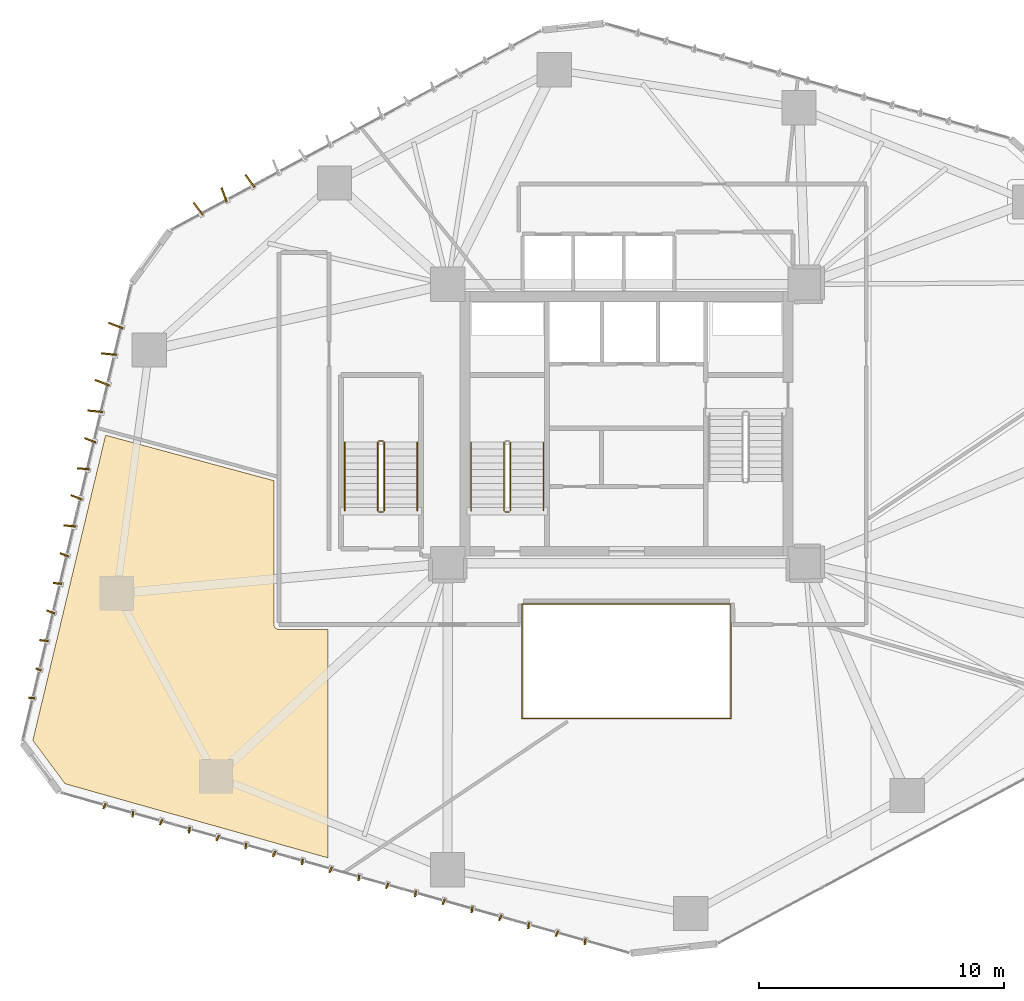
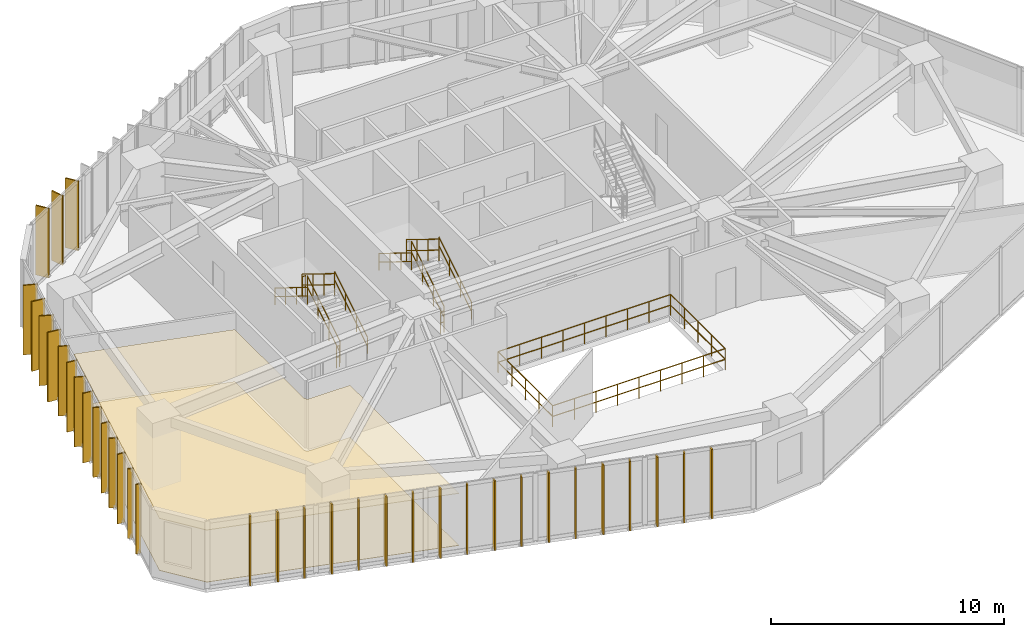
# One storey, part 22 of 24: 35 shading devices, 15 railings, 2 coverings.
"""IFC4 building model written with IfcOpenShell, lengths in metres."""

from ifc_helpers import new_model, si_unit, direction, frame, origin, origin_2d, place, context, subcontext, project, spatial, polyline, rectangle, circle, outline, extrude, source, transform, mapped, material, layer, layer_set, type_object, type_shapes, element, save


model = new_model("IFC4")

# Units and contexts
model_context = context("Model", 3, precision=1e-05, world=origin(), true_north=direction((0.0, 1.0)))
body_context = subcontext(model_context, "Body", "Model", "MODEL_VIEW")
ifc_project = project(units=[si_unit("LENGTHUNIT", "METRE"), si_unit("AREAUNIT", "SQUARE_METRE"), si_unit("VOLUMEUNIT", "CUBIC_METRE"), si_unit("PLANEANGLEUNIT", "RADIAN"), si_unit("MASSUNIT", "GRAM", prefix="KILO")], contexts=[model_context])

# Site, building, storey
site_placement = place(None, origin())
site = spatial("IfcSite", under=ifc_project, at=site_placement, CompositionType="ELEMENT")
building_placement = place(site_placement, origin())
building = spatial("IfcBuilding", under=site, at=building_placement, Name="Talar Marvaseh", CompositionType="ELEMENT")
storey_placement = place(building_placement, frame((0.0, 0.0, 43.0)))
storey = spatial("IfcBuildingStorey", under=building, at=storey_placement, Name="L10", CompositionType="ELEMENT", Elevation=43.0)

# Railings
ifc_material_1 = material(Name="Stainless Steel Grade 316", Category="steel")
railing_type_1 = type_object("IfcRailingType", Name="Brushed Stainless Wall Pitch Handrail 900", PredefinedType="HANDRAIL", material=ifc_material_1)
railing_1_placement = place(storey_placement, frame((22.610107421875, 27.64990234375, 0.172607421875)))
element("IfcRailing", 1, at=railing_1_placement, inside=storey, type_object=railing_type_1, Name="L10 ST-1 stair handrail 1", PredefinedType="HANDRAIL", context=body_context, shape_type="SweptSolid", body=[
    extrude(circle(Radius=0.02392578125, at=origin_2d()), frame((0.0, 0.0, 0.8759765625), z_axis=(0.0, 0.851089632645, 0.525020415988), x_axis=(-1.0, 0.0, 0.0)), (0.0, 0.0, 1.0), 3.2900390625),
    extrude(circle(Radius=0.02392578125, at=origin_2d()), frame((0.0, 0.0, 0.42578125), z_axis=(0.0, 0.851089632645, 0.525020415988), x_axis=(-1.0, 0.0, 0.0)), (0.0, 0.0, 1.0), 3.2900390625),
    extrude(circle(Radius=0.02099609375, at=origin_2d()), origin(), (0.0, 0.0, 1.0), 0.851806640625),
    extrude(circle(Radius=0.02099609375, at=origin_2d()), frame((0.0, 0.933349609375, 0.57568359375)), (0.0, 0.0, 1.0), 0.851806640625),
    extrude(circle(Radius=0.02099609375, at=origin_2d()), frame((0.0, 1.86669921875, 1.151611328125)), (0.0, 0.0, 1.0), 0.851806640625),
    extrude(circle(Radius=0.02099609375, at=origin_2d()), frame((0.0, 2.800048828125, 1.727294921875)), (0.0, 0.0, 1.0), 0.851806640625),
])
railing_2_placement = place(storey_placement, frame((19.64990234375, 30.449951171875, 2.07275390625)))
element("IfcRailing", 2, at=railing_2_placement, inside=storey, type_object=railing_type_1, Name="L10 ST-1 stair handrail 2", PredefinedType="HANDRAIL", context=body_context, shape_type="SweptSolid", body=[
    extrude(circle(Radius=0.02392578125, at=origin_2d()), frame((0.0, 0.0, 0.8759765625), z_axis=(0.0, -0.851089632645, 0.525020415988), x_axis=(1.0, 0.0, 0.0)), (0.0, 0.0, 1.0), 3.2900390625),
    extrude(circle(Radius=0.02392578125, at=origin_2d()), frame((0.0, 0.0, 0.42578125), z_axis=(0.0, -0.851089632645, 0.525020415988), x_axis=(1.0, 0.0, 0.0)), (0.0, 0.0, 1.0), 3.2900390625),
    extrude(circle(Radius=0.02099609375, at=origin_2d()), origin(), (0.0, 0.0, 1.0), 0.851806640625),
    extrude(circle(Radius=0.02099609375, at=origin_2d()), frame((0.0, -0.933349609375, 0.57568359375)), (0.0, 0.0, 1.0), 0.851806640625),
    extrude(circle(Radius=0.02099609375, at=origin_2d()), frame((0.0, -1.86669921875, 1.151611328125)), (0.0, 0.0, 1.0), 0.851806640625),
    extrude(circle(Radius=0.02099609375, at=origin_2d()), frame((0.0, -2.800048828125, 1.727294921875)), (0.0, 0.0, 1.0), 0.851806640625),
])
railing_3_placement = place(storey_placement, frame((17.449951171875, 27.64990234375, 0.172607421875)))
element("IfcRailing", 3, at=railing_3_placement, inside=storey, type_object=railing_type_1, Name="L10 ST-3 stair handrail 1", PredefinedType="HANDRAIL", context=body_context, shape_type="SweptSolid", body=[
    extrude(circle(Radius=0.02392578125, at=origin_2d()), frame((0.0, 0.0, 0.8759765625), z_axis=(0.0, 0.851089632645, 0.525020415988), x_axis=(-1.0, 0.0, 0.0)), (0.0, 0.0, 1.0), 3.2900390625),
    extrude(circle(Radius=0.02392578125, at=origin_2d()), frame((0.0, 0.0, 0.42578125), z_axis=(0.0, 0.851089632645, 0.525020415988), x_axis=(-1.0, 0.0, 0.0)), (0.0, 0.0, 1.0), 3.2900390625),
    extrude(circle(Radius=0.02099609375, at=origin_2d()), origin(), (0.0, 0.0, 1.0), 0.851806640625),
    extrude(circle(Radius=0.02099609375, at=origin_2d()), frame((0.0, 0.933349609375, 0.57568359375)), (0.0, 0.0, 1.0), 0.851806640625),
    extrude(circle(Radius=0.02099609375, at=origin_2d()), frame((0.0, 1.86669921875, 1.151611328125)), (0.0, 0.0, 1.0), 0.851806640625),
    extrude(circle(Radius=0.02099609375, at=origin_2d()), frame((0.0, 2.800048828125, 1.727294921875)), (0.0, 0.0, 1.0), 0.851806640625),
])
railing_4_placement = place(storey_placement, frame((14.489990234375, 30.449951171875, 2.07275390625)))
element("IfcRailing", 4, at=railing_4_placement, inside=storey, type_object=railing_type_1, Name="L10 ST-3 stair handrail 2", PredefinedType="HANDRAIL", context=body_context, shape_type="SweptSolid", body=[
    extrude(circle(Radius=0.02392578125, at=origin_2d()), frame((0.0, 0.0, 0.8759765625), z_axis=(0.0, -0.851089632645, 0.525020415988), x_axis=(1.0, 0.0, 0.0)), (0.0, 0.0, 1.0), 3.2900390625),
    extrude(circle(Radius=0.02392578125, at=origin_2d()), frame((0.0, 0.0, 0.42578125), z_axis=(0.0, -0.851089632645, 0.525020415988), x_axis=(1.0, 0.0, 0.0)), (0.0, 0.0, 1.0), 3.2900390625),
    extrude(circle(Radius=0.02099609375, at=origin_2d()), origin(), (0.0, 0.0, 1.0), 0.851806640625),
    extrude(circle(Radius=0.02099609375, at=origin_2d()), frame((0.0, -0.933349609375, 0.57568359375)), (0.0, 0.0, 1.0), 0.851806640625),
    extrude(circle(Radius=0.02099609375, at=origin_2d()), frame((0.0, -1.86669921875, 1.151611328125)), (0.0, 0.0, 1.0), 0.851806640625),
    extrude(circle(Radius=0.02099609375, at=origin_2d()), frame((0.0, -2.800048828125, 1.727294921875)), (0.0, 0.0, 1.0), 0.851806640625),
])
ifc_material_2 = material(Name="Tempered Clear Glass", Category="glass")
railing_type_2 = type_object("IfcRailingType", Name="Interior Atrium Edge Balustrade 1120", PredefinedType="BALUSTRADE", material=ifc_material_2)
railing_5_placement = place(storey_placement, frame((21.729736328125, 19.16162109375, 0.0)))
element("IfcRailing", 5, at=railing_5_placement, inside=storey, type_object=railing_type_2, Name="L10 Internal Daylight Atrium Balustrade 1", PredefinedType="BALUSTRADE", context=body_context, shape_type="SweptSolid", body=[
    extrude(circle(Radius=0.02392578125, at=origin_2d()), frame((0.0, 0.0, 1.09619140625), z_axis=(1.0, 0.0, 0.0), x_axis=(0.0, 1.0, 0.0)), (0.0, 0.0, 1.0), 8.54052734375),
    extrude(circle(Radius=0.02392578125, at=origin_2d()), frame((0.0, 0.0, 0.5361328125), z_axis=(1.0, 0.0, 0.0), x_axis=(0.0, 1.0, 0.0)), (0.0, 0.0, 1.0), 8.54052734375),
    extrude(circle(Radius=0.02099609375, at=origin_2d()), origin(), (0.0, 0.0, 1.0), 1.072021484375),
    extrude(circle(Radius=0.02099609375, at=origin_2d()), frame((1.067626953125, 0.0, 0.0)), (0.0, 0.0, 1.0), 1.072021484375),
    extrude(circle(Radius=0.02099609375, at=origin_2d()), frame((2.13525390625, 0.0, 0.0)), (0.0, 0.0, 1.0), 1.072021484375),
    extrude(circle(Radius=0.02099609375, at=origin_2d()), frame((3.20263671875, 0.0, 0.0)), (0.0, 0.0, 1.0), 1.072021484375),
    extrude(circle(Radius=0.02099609375, at=origin_2d()), frame((4.270263671875, 0.0, 0.0)), (0.0, 0.0, 1.0), 1.072021484375),
    extrude(circle(Radius=0.02099609375, at=origin_2d()), frame((5.337890625, 0.0, 0.0)), (0.0, 0.0, 1.0), 1.072021484375),
    extrude(circle(Radius=0.02099609375, at=origin_2d()), frame((6.4052734375, 0.0, 0.0)), (0.0, 0.0, 1.0), 1.072021484375),
    extrude(circle(Radius=0.02099609375, at=origin_2d()), frame((7.472900390625, 0.0, 0.0)), (0.0, 0.0, 1.0), 1.072021484375),
    extrude(circle(Radius=0.02099609375, at=origin_2d()), frame((8.54052734375, 0.0, 0.0)), (0.0, 0.0, 1.0), 1.072021484375),
])
railing_6_placement = place(storey_placement, frame((30.270263671875, 19.16162109375, 0.0)))
element("IfcRailing", 6, at=railing_6_placement, inside=storey, type_object=railing_type_2, Name="L10 Internal Daylight Atrium Balustrade 2", PredefinedType="BALUSTRADE", context=body_context, shape_type="SweptSolid", body=[
    extrude(circle(Radius=0.02392578125, at=origin_2d()), frame((0.0, 0.0, 1.09619140625), z_axis=(0.0, 1.0, 0.0), x_axis=(-1.0, 0.0, 0.0)), (0.0, 0.0, 1.0), 4.6767578125),
    extrude(circle(Radius=0.02392578125, at=origin_2d()), frame((0.0, 0.0, 0.5361328125), z_axis=(0.0, 1.0, 0.0), x_axis=(-1.0, 0.0, 0.0)), (0.0, 0.0, 1.0), 4.6767578125),
    extrude(circle(Radius=0.02099609375, at=origin_2d()), origin(), (0.0, 0.0, 1.0), 1.072021484375),
    extrude(circle(Radius=0.02099609375, at=origin_2d()), frame((0.0, 1.169189453125, 0.0)), (0.0, 0.0, 1.0), 1.072021484375),
    extrude(circle(Radius=0.02099609375, at=origin_2d()), frame((0.0, 2.33837890625, 0.0)), (0.0, 0.0, 1.0), 1.072021484375),
    extrude(circle(Radius=0.02099609375, at=origin_2d()), frame((0.0, 3.507568359375, 0.0)), (0.0, 0.0, 1.0), 1.072021484375),
    extrude(circle(Radius=0.02099609375, at=origin_2d()), frame((0.0, 4.6767578125, 0.0)), (0.0, 0.0, 1.0), 1.072021484375),
])
railing_7_placement = place(storey_placement, frame((30.270263671875, 23.83837890625, 0.0)))
element("IfcRailing", 7, at=railing_7_placement, inside=storey, type_object=railing_type_2, Name="L10 Internal Daylight Atrium Balustrade 3", PredefinedType="BALUSTRADE", context=body_context, shape_type="SweptSolid", body=[
    extrude(circle(Radius=0.02392578125, at=origin_2d()), frame((0.0, 0.0, 1.09619140625), z_axis=(-1.0, 0.0, 0.0), x_axis=(0.0, -1.0, 0.0)), (0.0, 0.0, 1.0), 8.54052734375),
    extrude(circle(Radius=0.02392578125, at=origin_2d()), frame((0.0, 0.0, 0.5361328125), z_axis=(-1.0, 0.0, 0.0), x_axis=(0.0, -1.0, 0.0)), (0.0, 0.0, 1.0), 8.54052734375),
    extrude(circle(Radius=0.02099609375, at=origin_2d()), origin(), (0.0, 0.0, 1.0), 1.072021484375),
    extrude(circle(Radius=0.02099609375, at=origin_2d()), frame((-1.067626953125, 0.0, 0.0)), (0.0, 0.0, 1.0), 1.072021484375),
    extrude(circle(Radius=0.02099609375, at=origin_2d()), frame((-2.13525390625, 0.0, 0.0)), (0.0, 0.0, 1.0), 1.072021484375),
    extrude(circle(Radius=0.02099609375, at=origin_2d()), frame((-3.20263671875, 0.0, 0.0)), (0.0, 0.0, 1.0), 1.072021484375),
    extrude(circle(Radius=0.02099609375, at=origin_2d()), frame((-4.270263671875, 0.0, 0.0)), (0.0, 0.0, 1.0), 1.072021484375),
    extrude(circle(Radius=0.02099609375, at=origin_2d()), frame((-5.337890625, 0.0, 0.0)), (0.0, 0.0, 1.0), 1.072021484375),
    extrude(circle(Radius=0.02099609375, at=origin_2d()), frame((-6.4052734375, 0.0, 0.0)), (0.0, 0.0, 1.0), 1.072021484375),
    extrude(circle(Radius=0.02099609375, at=origin_2d()), frame((-7.472900390625, 0.0, 0.0)), (0.0, 0.0, 1.0), 1.072021484375),
    extrude(circle(Radius=0.02099609375, at=origin_2d()), frame((-8.54052734375, 0.0, 0.0)), (0.0, 0.0, 1.0), 1.072021484375),
])
railing_8_placement = place(storey_placement, frame((21.729736328125, 23.83837890625, 0.0)))
element("IfcRailing", 8, at=railing_8_placement, inside=storey, type_object=railing_type_2, Name="L10 Internal Daylight Atrium Balustrade 4", PredefinedType="BALUSTRADE", context=body_context, shape_type="SweptSolid", body=[
    extrude(circle(Radius=0.02392578125, at=origin_2d()), frame((0.0, 0.0, 1.09619140625), z_axis=(0.0, -1.0, 0.0), x_axis=(1.0, 0.0, 0.0)), (0.0, 0.0, 1.0), 4.6767578125),
    extrude(circle(Radius=0.02392578125, at=origin_2d()), frame((0.0, 0.0, 0.5361328125), z_axis=(0.0, -1.0, 0.0), x_axis=(1.0, 0.0, 0.0)), (0.0, 0.0, 1.0), 4.6767578125),
    extrude(circle(Radius=0.02099609375, at=origin_2d()), origin(), (0.0, 0.0, 1.0), 1.072021484375),
    extrude(circle(Radius=0.02099609375, at=origin_2d()), frame((0.0, -1.169189453125, 0.0)), (0.0, 0.0, 1.0), 1.072021484375),
    extrude(circle(Radius=0.02099609375, at=origin_2d()), frame((0.0, -2.33837890625, 0.0)), (0.0, 0.0, 1.0), 1.072021484375),
    extrude(circle(Radius=0.02099609375, at=origin_2d()), frame((0.0, -3.507568359375, 0.0)), (0.0, 0.0, 1.0), 1.072021484375),
    extrude(circle(Radius=0.02099609375, at=origin_2d()), frame((0.0, -4.6767578125, 0.0)), (0.0, 0.0, 1.0), 1.072021484375),
])
railing_type_3 = type_object("IfcRailingType", Name="Painted Steel Core Stair Well Guardrail 1150", PredefinedType="GUARDRAIL", material=ifc_material_1)
railing_9_placement = place(storey_placement, frame((21.260009765625, 27.64990234375, 0.172607421875)))
element("IfcRailing", 9, at=railing_9_placement, inside=storey, type_object=railing_type_3, Name="L10 ST-1 stair guard 1", PredefinedType="GUARDRAIL", context=body_context, shape_type="SweptSolid", body=[
    extrude(circle(Radius=0.02392578125, at=origin_2d()), frame((0.0, 0.0, 1.1259765625), z_axis=(0.0, 0.851089632645, 0.525020415988), x_axis=(-1.0, 0.0, 0.0)), (0.0, 0.0, 1.0), 3.2900390625),
    extrude(circle(Radius=0.02392578125, at=origin_2d()), frame((0.0, 0.0, 0.55078125), z_axis=(0.0, 0.851089632645, 0.525020415988), x_axis=(-1.0, 0.0, 0.0)), (0.0, 0.0, 1.0), 3.2900390625),
    extrude(circle(Radius=0.02099609375, at=origin_2d()), origin(), (0.0, 0.0, 1.0), 1.101806640625),
    extrude(circle(Radius=0.02099609375, at=origin_2d()), frame((0.0, 0.933349609375, 0.57568359375)), (0.0, 0.0, 1.0), 1.101806640625),
    extrude(circle(Radius=0.02099609375, at=origin_2d()), frame((0.0, 1.86669921875, 1.151611328125)), (0.0, 0.0, 1.0), 1.101806640625),
    extrude(circle(Radius=0.02099609375, at=origin_2d()), frame((0.0, 2.800048828125, 1.727294921875)), (0.0, 0.0, 1.0), 1.101806640625),
])
railing_10_placement = place(storey_placement, frame((21.0, 30.449951171875, 2.07275390625)))
element("IfcRailing", 10, at=railing_10_placement, inside=storey, type_object=railing_type_3, Name="L10 ST-1 stair guard 3", PredefinedType="GUARDRAIL", context=body_context, shape_type="SweptSolid", body=[
    extrude(circle(Radius=0.02392578125, at=origin_2d()), frame((0.0, 0.0, 1.1259765625), z_axis=(0.0, -0.851089632645, 0.525020415988), x_axis=(1.0, 0.0, 0.0)), (0.0, 0.0, 1.0), 3.2900390625),
    extrude(circle(Radius=0.02392578125, at=origin_2d()), frame((0.0, 0.0, 0.55078125), z_axis=(0.0, -0.851089632645, 0.525020415988), x_axis=(1.0, 0.0, 0.0)), (0.0, 0.0, 1.0), 3.2900390625),
    extrude(circle(Radius=0.02099609375, at=origin_2d()), origin(), (0.0, 0.0, 1.0), 1.101806640625),
    extrude(circle(Radius=0.02099609375, at=origin_2d()), frame((0.0, -0.933349609375, 0.57568359375)), (0.0, 0.0, 1.0), 1.101806640625),
    extrude(circle(Radius=0.02099609375, at=origin_2d()), frame((0.0, -1.86669921875, 1.151611328125)), (0.0, 0.0, 1.0), 1.101806640625),
    extrude(circle(Radius=0.02099609375, at=origin_2d()), frame((0.0, -2.800048828125, 1.727294921875)), (0.0, 0.0, 1.0), 1.101806640625),
])
railing_11_placement = place(storey_placement, frame((21.2099609375, 27.60009765625, 0.0)))
element("IfcRailing", 11, at=railing_11_placement, inside=storey, type_object=railing_type_3, Name="L10 ST-1 stair guard 4", PredefinedType="GUARDRAIL", context=body_context, shape_type="SweptSolid", body=[
    extrude(circle(Radius=0.02392578125, at=origin_2d()), frame((0.0, 0.0, 1.1259765625), z_axis=(-1.0, 0.0, 0.0), x_axis=(0.0, -1.0, 0.0)), (0.0, 0.0, 1.0), 0.159912109375),
    extrude(circle(Radius=0.02392578125, at=origin_2d()), frame((0.0, 0.0, 0.55078125), z_axis=(-1.0, 0.0, 0.0), x_axis=(0.0, -1.0, 0.0)), (0.0, 0.0, 1.0), 0.159912109375),
    extrude(circle(Radius=0.02099609375, at=origin_2d()), origin(), (0.0, 0.0, 1.0), 1.101806640625),
    extrude(circle(Radius=0.02099609375, at=origin_2d()), frame((-0.159912109375, 0.0, 0.0)), (0.0, 0.0, 1.0), 1.101806640625),
])
railing_12_placement = place(storey_placement, frame((16.10009765625, 27.64990234375, 0.172607421875)))
element("IfcRailing", 12, at=railing_12_placement, inside=storey, type_object=railing_type_3, Name="L10 ST-3 stair guard 1", PredefinedType="GUARDRAIL", context=body_context, shape_type="SweptSolid", body=[
    extrude(circle(Radius=0.02392578125, at=origin_2d()), frame((0.0, 0.0, 1.1259765625), z_axis=(0.0, 0.851089632645, 0.525020415988), x_axis=(-1.0, 0.0, 0.0)), (0.0, 0.0, 1.0), 3.2900390625),
    extrude(circle(Radius=0.02392578125, at=origin_2d()), frame((0.0, 0.0, 0.55078125), z_axis=(0.0, 0.851089632645, 0.525020415988), x_axis=(-1.0, 0.0, 0.0)), (0.0, 0.0, 1.0), 3.2900390625),
    extrude(circle(Radius=0.02099609375, at=origin_2d()), origin(), (0.0, 0.0, 1.0), 1.101806640625),
    extrude(circle(Radius=0.02099609375, at=origin_2d()), frame((0.0, 0.933349609375, 0.57568359375)), (0.0, 0.0, 1.0), 1.101806640625),
    extrude(circle(Radius=0.02099609375, at=origin_2d()), frame((0.0, 1.86669921875, 1.151611328125)), (0.0, 0.0, 1.0), 1.101806640625),
    extrude(circle(Radius=0.02099609375, at=origin_2d()), frame((0.0, 2.800048828125, 1.727294921875)), (0.0, 0.0, 1.0), 1.101806640625),
])
railing_13_placement = place(storey_placement, frame((16.050048828125, 30.5, 1.89990234375)))
element("IfcRailing", 13, at=railing_13_placement, inside=storey, type_object=railing_type_3, Name="L10 ST-3 stair guard 2", PredefinedType="GUARDRAIL", context=body_context, shape_type="SweptSolid", body=[
    extrude(circle(Radius=0.02392578125, at=origin_2d()), frame((0.0, 0.0, 1.1259765625), z_axis=(-1.0, 0.0, 0.0), x_axis=(0.0, -1.0, 0.0)), (0.0, 0.0, 1.0), 0.16015625),
    extrude(circle(Radius=0.02392578125, at=origin_2d()), frame((0.0, 0.0, 0.55078125), z_axis=(-1.0, 0.0, 0.0), x_axis=(0.0, -1.0, 0.0)), (0.0, 0.0, 1.0), 0.16015625),
    extrude(circle(Radius=0.02099609375, at=origin_2d()), origin(), (0.0, 0.0, 1.0), 1.101806640625),
    extrude(circle(Radius=0.02099609375, at=origin_2d()), frame((-0.16015625, 0.0, 0.0)), (0.0, 0.0, 1.0), 1.101806640625),
])
railing_14_placement = place(storey_placement, frame((15.840087890625, 30.449951171875, 2.07275390625)))
element("IfcRailing", 14, at=railing_14_placement, inside=storey, type_object=railing_type_3, Name="L10 ST-3 stair guard 3", PredefinedType="GUARDRAIL", context=body_context, shape_type="SweptSolid", body=[
    extrude(circle(Radius=0.02392578125, at=origin_2d()), frame((0.0, 0.0, 1.1259765625), z_axis=(0.0, -0.851089632645, 0.525020415988), x_axis=(1.0, 0.0, 0.0)), (0.0, 0.0, 1.0), 3.2900390625),
    extrude(circle(Radius=0.02392578125, at=origin_2d()), frame((0.0, 0.0, 0.55078125), z_axis=(0.0, -0.851089632645, 0.525020415988), x_axis=(1.0, 0.0, 0.0)), (0.0, 0.0, 1.0), 3.2900390625),
    extrude(circle(Radius=0.02099609375, at=origin_2d()), origin(), (0.0, 0.0, 1.0), 1.101806640625),
    extrude(circle(Radius=0.02099609375, at=origin_2d()), frame((0.0, -0.933349609375, 0.57568359375)), (0.0, 0.0, 1.0), 1.101806640625),
    extrude(circle(Radius=0.02099609375, at=origin_2d()), frame((0.0, -1.86669921875, 1.151611328125)), (0.0, 0.0, 1.0), 1.101806640625),
    extrude(circle(Radius=0.02099609375, at=origin_2d()), frame((0.0, -2.800048828125, 1.727294921875)), (0.0, 0.0, 1.0), 1.101806640625),
])
railing_15_placement = place(storey_placement, frame((16.050048828125, 27.60009765625, 0.0)))
element("IfcRailing", 15, at=railing_15_placement, inside=storey, type_object=railing_type_3, Name="L10 ST-3 stair guard 4", PredefinedType="GUARDRAIL", context=body_context, shape_type="SweptSolid", body=[
    extrude(circle(Radius=0.02392578125, at=origin_2d()), frame((0.0, 0.0, 1.1259765625), z_axis=(-1.0, 0.0, 0.0), x_axis=(0.0, -1.0, 0.0)), (0.0, 0.0, 1.0), 0.16015625),
    extrude(circle(Radius=0.02392578125, at=origin_2d()), frame((0.0, 0.0, 0.55078125), z_axis=(-1.0, 0.0, 0.0), x_axis=(0.0, -1.0, 0.0)), (0.0, 0.0, 1.0), 0.16015625),
    extrude(circle(Radius=0.02099609375, at=origin_2d()), origin(), (0.0, 0.0, 1.0), 1.101806640625),
    extrude(circle(Radius=0.02099609375, at=origin_2d()), frame((-0.16015625, 0.0, 0.0)), (0.0, 0.0, 1.0), 1.101806640625),
])

# Coverings
ifc_material_3 = material(Name="Mineral Fibre Acoustic Ceiling")
ifc_layer_1 = layer(ifc_material_3, 0.02490234375)
ifc_layer_set_1 = layer_set([ifc_layer_1], Name="Mineral Fibre Acoustic Ceiling")
covering_type_1 = type_object("IfcCoveringType", Name="Perforated Mineral Fibre Acoustic Suspended Ceiling", PredefinedType="CEILING", material=ifc_layer_set_1)
covering_1_placement = place(storey_placement, frame((0.0, 0.0, 2.719970703125)))
element("IfcCovering", 16, at=covering_1_placement, inside=storey, type_object=covering_type_1, Name="L10 Exhibition Gallery Acoustic Ceiling", PredefinedType="CEILING", context=body_context, shape_type="SweptSolid", body=[
    extrude(outline(polyline([(11.60009765625, 28.878173828125), (11.60009765625, 23.0), (11.60107421875, 22.98046875), (11.603759765625, 22.9609375), (11.608642578125, 22.94189453125), (11.615234375, 22.923583984375), (11.62353515625, 22.90576171875), (11.6337890625, 22.888916015625), (11.6455078125, 22.873046875), (11.65869140625, 22.858642578125), (11.673095703125, 22.845458984375), (11.68896484375, 22.833740234375), (11.705810546875, 22.823486328125), (11.723388671875, 22.815185546875), (11.741943359375, 22.80859375), (11.760986328125, 22.8037109375), (11.780517578125, 22.801025390625), (11.800048828125, 22.800048828125), (13.800048828125, 22.800048828125), (13.800048828125, 13.469482421875), (3.064208984375, 16.49560546875), (1.744384765625, 18.267578125), (4.716064453125, 30.7373046875), (11.60009765625, 28.878173828125)])), origin(), (0.0, 0.0, 1.0), 0.025146484375),
])
ifc_material_4 = material(Name="Porcelain Stoneware Tile", Category="masonry")
ifc_layer_2 = layer(ifc_material_4, 0.02001953125)
ifc_layer_set_2 = layer_set([ifc_layer_2], Name="Porcelain Stoneware Tile")
covering_type_2 = type_object("IfcCoveringType", Name="Polished Porcelain Stoneware Gallery Flooring", PredefinedType="FLOORING", material=ifc_layer_set_2)
covering_2_placement = place(storey_placement, origin())
element("IfcCovering", 17, at=covering_2_placement, inside=storey, type_object=covering_type_2, Name="L10 Exhibition Gallery Flooring", PredefinedType="FLOORING", context=body_context, shape_type="SweptSolid", body=[
    extrude(outline(polyline([(11.60009765625, 28.878173828125), (11.60009765625, 23.0), (11.60107421875, 22.98046875), (11.603759765625, 22.9609375), (11.608642578125, 22.94189453125), (11.615234375, 22.923583984375), (11.62353515625, 22.90576171875), (11.6337890625, 22.888916015625), (11.6455078125, 22.873046875), (11.65869140625, 22.858642578125), (11.673095703125, 22.845458984375), (11.68896484375, 22.833740234375), (11.705810546875, 22.823486328125), (11.723388671875, 22.815185546875), (11.741943359375, 22.80859375), (11.760986328125, 22.8037109375), (11.780517578125, 22.801025390625), (11.800048828125, 22.800048828125), (13.800048828125, 22.800048828125), (13.800048828125, 13.469482421875), (3.064208984375, 16.49560546875), (1.744384765625, 18.267578125), (4.716064453125, 30.7373046875), (11.60009765625, 28.878173828125)])), origin(), (0.0, 0.0, 1.0), 0.02001953125),
])

# Shading devices
ifc_material_5 = material(Name="Anodised Champagne Bronze Aluminium", Category="aluminium")
ifc_layer_3 = layer(ifc_material_5, 0.06494140625)
ifc_layer_set_3 = layer_set([ifc_layer_3], Name="Anodised Champagne Bronze Aluminium")
shading_device_type_1 = type_object("IfcShadingDeviceType", Name="Sawtooth Champagne Bronze Vertical Fin 240", PredefinedType="USERDEFINED", material=ifc_layer_set_3)
shared_shape_1 = source(origin(), body_context, "Body", "SweptSolid", [
    extrude(rectangle(XDim=0.239990234375, YDim=0.06494140625, at=origin_2d()), origin(), (0.0, 0.0, 1.0), 3.639892578125),
])
type_shapes(shading_device_type_1, [shared_shape_1])
for number, where, z_axis, x_axis, name in (
    (18, (1.69970703125, 19.999755859375, -0.1201171875), (0.0, 0.0, 1.0), (-0.995561964603, 0.094108313319, 0.0), "L10 Sawtooth Vertical Solar Fin"),
    (19, (1.97802734375, 21.1669921875, -0.1201171875), (0.0, 0.0, 1.0), (-0.931055815863, 0.364876784338, 0.0), "L10 Sawtooth Vertical Solar Fin"),
    (20, (24.30859375, 10.045166015625, -0.1201171875), (0.0, 0.0, 1.0), (-0.134677989497, -0.990889418222, 0.0), "L10 Sawtooth Vertical Solar Fin"),
    (21, (23.15380859375, 10.370849609375, -0.1201171875), (0.0, 0.0, 1.0), (-0.402586931735, -0.915381757736, 0.0), "L10 Sawtooth Vertical Solar Fin"),
    (22, (21.998779296875, 10.6962890625, -0.1201171875), (0.0, 0.0, 1.0), (-0.134677989497, -0.990889418222, 0.0), "L10 Sawtooth Vertical Solar Fin"),
    (23, (20.84375, 11.02197265625, -0.1201171875), (0.0, 0.0, 1.0), (-0.402586931735, -0.915381757736, 0.0), "L10 Sawtooth Vertical Solar Fin"),
    (24, (19.688720703125, 11.347412109375, -0.1201171875), (0.0, 0.0, 1.0), (-0.134677989497, -0.990889418222, 0.0), "L10 Sawtooth Vertical Solar Fin"),
    (25, (18.53369140625, 11.673095703125, -0.1201171875), (0.0, 0.0, 1.0), (-0.402586931735, -0.915381757736, 0.0), "L10 Sawtooth Vertical Solar Fin"),
    (26, (17.37890625, 11.99853515625, -0.1201171875), (0.0, 0.0, 1.0), (-0.134677989497, -0.990889418222, 0.0), "L10 Sawtooth Vertical Solar Fin"),
    (27, (16.223876953125, 12.32421875, -0.1201171875), (0.0, 0.0, 1.0), (-0.402586931735, -0.915381757736, 0.0), "L10 Sawtooth Vertical Solar Fin"),
    (28, (15.06884765625, 12.649658203125, -0.1201171875), (0.0, 0.0, 1.0), (-0.134677989497, -0.990889418222, 0.0), "L10 Sawtooth Vertical Solar Fin"),
    (29, (13.913818359375, 12.97509765625, -0.1201171875), (0.0, 0.0, 1.0), (-0.402586931735, -0.915381757736, 0.0), "L10 Sawtooth Vertical Solar Fin"),
    (30, (12.7587890625, 13.30078125, -0.1201171875), (0.0, 0.0, 1.0), (-0.134677989497, -0.990889418222, 0.0), "L10 Sawtooth Vertical Solar Fin"),
    (31, (11.603759765625, 13.626220703125, -0.1201171875), (0.0, 0.0, 1.0), (-0.402586931735, -0.915381757736, 0.0), "L10 Sawtooth Vertical Solar Fin"),
    (32, (10.44873046875, 13.951904296875, -0.1201171875), (0.0, 0.0, 1.0), (-0.134677989497, -0.990889418222, 0.0), "L10 Sawtooth Vertical Solar Fin"),
    (33, (9.293701171875, 14.27734375, -0.1201171875), (0.0, 0.0, 1.0), (-0.402586931735, -0.915381757736, 0.0), "L10 Sawtooth Vertical Solar Fin"),
    (34, (8.138916015625, 14.602783203125, -0.1201171875), (0.0, 0.0, 1.0), (-0.134677989497, -0.990889418222, 0.0), "L10 Sawtooth Vertical Solar Fin"),
    (35, (6.98388671875, 14.928466796875, -0.1201171875), (0.0, 0.0, 1.0), (-0.402586931735, -0.915381757736, 0.0), "L10 Sawtooth Vertical Solar Fin"),
    (36, (5.828857421875, 15.25390625, -0.1201171875), (0.0, 0.0, 1.0), (-0.134677989497, -0.990889418222, 0.0), "L10 Sawtooth Vertical Solar Fin"),
    (37, (4.673828125, 15.57958984375, -0.1201171875), (0.0, 0.0, 1.0), (-0.402586931735, -0.915381757736, 0.0), "L10 Sawtooth Vertical Solar Fin"),
):
    element("IfcShadingDevice", number, at=place(storey_placement, frame(where, z_axis=z_axis, x_axis=x_axis)), inside=storey, type_object=shading_device_type_1, Name=name, ObjectType="FIN", PredefinedType="USERDEFINED", context=body_context, shape_type="MappedRepresentation", body=[
        mapped(shared_shape_1, transform((0.0, 0.0, 0.0), x_axis=(1.0, 0.0, 0.0), y_axis=(0.0, 1.0, 0.0), z_axis=(0.0, 0.0, 1.0), scale=1.0)),
    ])
ifc_layer_4 = layer(ifc_material_5, 0.06494140625)
ifc_layer_set_4 = layer_set([ifc_layer_4], Name="Anodised Champagne Bronze Aluminium")
shading_device_type_2 = type_object("IfcShadingDeviceType", Name="Sawtooth Champagne Bronze Vertical Fin 360", PredefinedType="USERDEFINED", material=ifc_layer_set_4)
shared_shape_2 = source(origin(), body_context, "Body", "SweptSolid", [
    extrude(rectangle(XDim=0.360107421875, YDim=0.06494140625, at=origin_2d()), origin(), (0.0, 0.0, 1.0), 3.639892578125),
])
type_shapes(shading_device_type_2, [shared_shape_2])
for number, where, z_axis, x_axis, name in (
    (38, (2.19775390625, 22.34814453125, -0.1201171875), (0.0, 0.0, 1.0), (-0.995561964603, 0.094108313319, 0.0), "L10 Sawtooth Vertical Solar Fin"),
    (39, (2.47607421875, 23.515380859375, -0.1201171875), (0.0, 0.0, 1.0), (-0.931055815863, 0.364876784338, 0.0), "L10 Sawtooth Vertical Solar Fin"),
    (40, (2.754150390625, 24.682861328125, -0.1201171875), (0.0, 0.0, 1.0), (-0.995561964603, 0.094108313319, 0.0), "L10 Sawtooth Vertical Solar Fin"),
    (41, (3.0322265625, 25.85009765625, -0.1201171875), (0.0, 0.0, 1.0), (-0.931055815863, 0.364876784338, 0.0), "L10 Sawtooth Vertical Solar Fin"),
):
    element("IfcShadingDevice", number, at=place(storey_placement, frame(where, z_axis=z_axis, x_axis=x_axis)), inside=storey, type_object=shading_device_type_2, Name=name, ObjectType="FIN", PredefinedType="USERDEFINED", context=body_context, shape_type="MappedRepresentation", body=[
        mapped(shared_shape_2, transform((0.0, 0.0, 0.0), x_axis=(1.0, 0.0, 0.0), y_axis=(0.0, 1.0, 0.0), z_axis=(0.0, 0.0, 1.0), scale=1.0)),
    ])
ifc_layer_5 = layer(ifc_material_5, 0.06494140625)
ifc_layer_set_5 = layer_set([ifc_layer_5], Name="Anodised Champagne Bronze Aluminium")
shading_device_type_3 = type_object("IfcShadingDeviceType", Name="Sawtooth Champagne Bronze Vertical Fin 480", PredefinedType="USERDEFINED", material=ifc_layer_set_5)
shared_shape_3 = source(origin(), body_context, "Body", "SweptSolid", [
    extrude(rectangle(XDim=0.47998046875, YDim=0.06494140625, at=origin_2d()), origin(), (0.0, 0.0, 1.0), 3.639892578125),
])
type_shapes(shading_device_type_3, [shared_shape_3])
for number, where, z_axis, x_axis, name in (
    (42, (3.252197265625, 27.031494140625, -0.1201171875), (0.0, 0.0, 1.0), (-0.995561964603, 0.094108313319, 0.0), "L10 Sawtooth Vertical Solar Fin"),
    (43, (3.5302734375, 28.19873046875, -0.1201171875), (0.0, 0.0, 1.0), (-0.931055815863, 0.364876784338, 0.0), "L10 Sawtooth Vertical Solar Fin"),
    (44, (3.80859375, 29.365966796875, -0.1201171875), (0.0, 0.0, 1.0), (-0.995561964603, 0.094108313319, 0.0), "L10 Sawtooth Vertical Solar Fin"),
    (45, (4.086669921875, 30.533203125, -0.1201171875), (0.0, 0.0, 1.0), (-0.931055815863, 0.364876784338, 0.0), "L10 Sawtooth Vertical Solar Fin"),
):
    element("IfcShadingDevice", number, at=place(storey_placement, frame(where, z_axis=z_axis, x_axis=x_axis)), inside=storey, type_object=shading_device_type_3, Name=name, ObjectType="FIN", PredefinedType="USERDEFINED", context=body_context, shape_type="MappedRepresentation", body=[
        mapped(shared_shape_3, transform((0.0, 0.0, 0.0), x_axis=(1.0, 0.0, 0.0), y_axis=(0.0, 1.0, 0.0), z_axis=(0.0, 0.0, 1.0), scale=1.0)),
    ])
ifc_layer_6 = layer(ifc_material_5, 0.06494140625)
ifc_layer_set_6 = layer_set([ifc_layer_6], Name="Anodised Champagne Bronze Aluminium")
shading_device_type_4 = type_object("IfcShadingDeviceType", Name="Sawtooth Champagne Bronze Vertical Fin 620", PredefinedType="USERDEFINED", material=ifc_layer_set_6)
shared_shape_4 = source(origin(), body_context, "Body", "SweptSolid", [
    extrude(rectangle(XDim=0.6201171875, YDim=0.06494140625, at=origin_2d()), origin(), (0.0, 0.0, 1.0), 3.639892578125),
])
type_shapes(shading_device_type_4, [shared_shape_4])
for number, where, z_axis, x_axis, name in (
    (46, (4.296630859375, 31.716796875, -0.1201171875), (0.0, 0.0, 1.0), (-0.995561964603, 0.094108313319, 0.0), "L10 Sawtooth Vertical Solar Fin"),
    (47, (4.574951171875, 32.884033203125, -0.1201171875), (0.0, 0.0, 1.0), (-0.931055815863, 0.364876784338, 0.0), "L10 Sawtooth Vertical Solar Fin"),
    (48, (4.85302734375, 34.051513671875, -0.1201171875), (0.0, 0.0, 1.0), (-0.995561964603, 0.094108313319, 0.0), "L10 Sawtooth Vertical Solar Fin"),
    (49, (5.13134765625, 35.21875, -0.1201171875), (0.0, 0.0, 1.0), (-0.931055815863, 0.364876784338, 0.0), "L10 Sawtooth Vertical Solar Fin"),
    (50, (8.503173828125, 39.98779296875, -0.1201171875), (0.0, 0.0, 1.0), (-0.592294464767, 0.805721581569, 0.0), "L10 Sawtooth Vertical Solar Fin"),
    (51, (9.5595703125, 40.556884765625, -0.1201171875), (0.0, 0.0, 1.0), (-0.347263015429, 0.937767774087, 0.0), "L10 Sawtooth Vertical Solar Fin"),
    (52, (10.615966796875, 41.126220703125, -0.1201171875), (0.0, 0.0, 1.0), (-0.592294464767, 0.805721581569, 0.0), "L10 Sawtooth Vertical Solar Fin"),
):
    element("IfcShadingDevice", number, at=place(storey_placement, frame(where, z_axis=z_axis, x_axis=x_axis)), inside=storey, type_object=shading_device_type_4, Name=name, ObjectType="FIN", PredefinedType="USERDEFINED", context=body_context, shape_type="MappedRepresentation", body=[
        mapped(shared_shape_4, transform((0.0, 0.0, 0.0), x_axis=(1.0, 0.0, 0.0), y_axis=(0.0, 1.0, 0.0), z_axis=(0.0, 0.0, 1.0), scale=1.0)),
    ])

save(model, "model.ifc")
